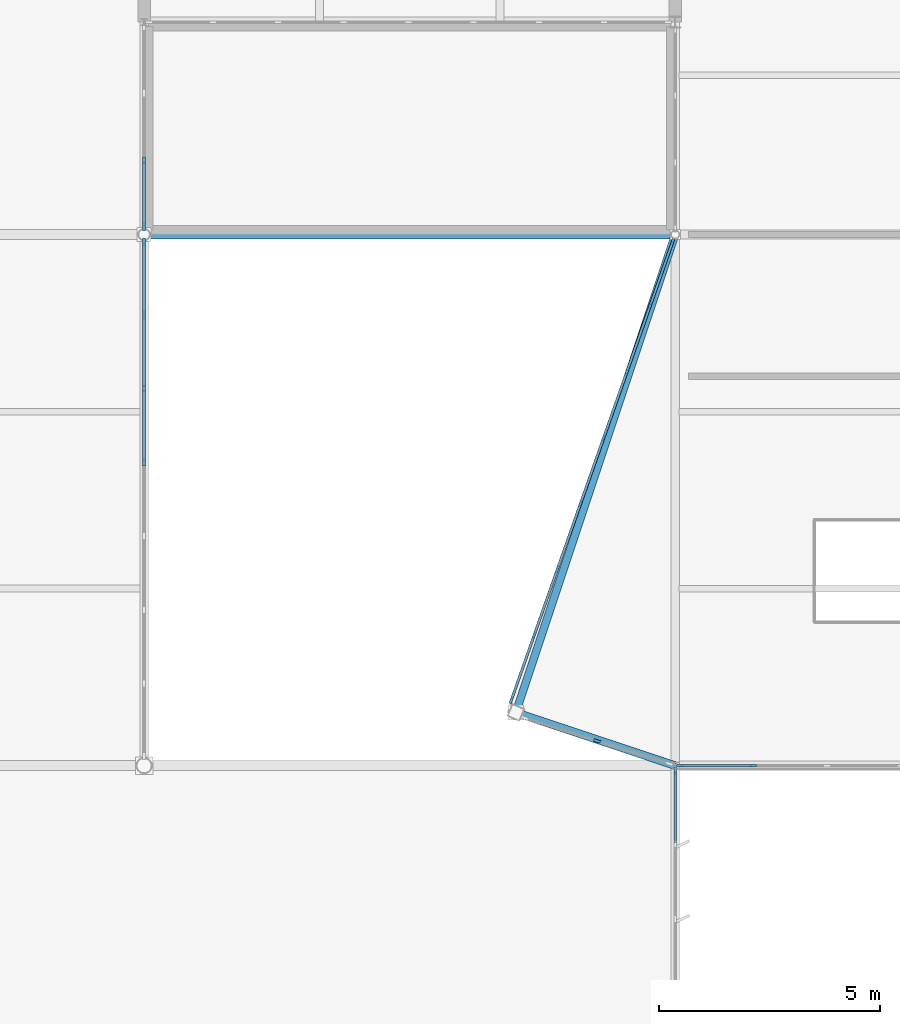
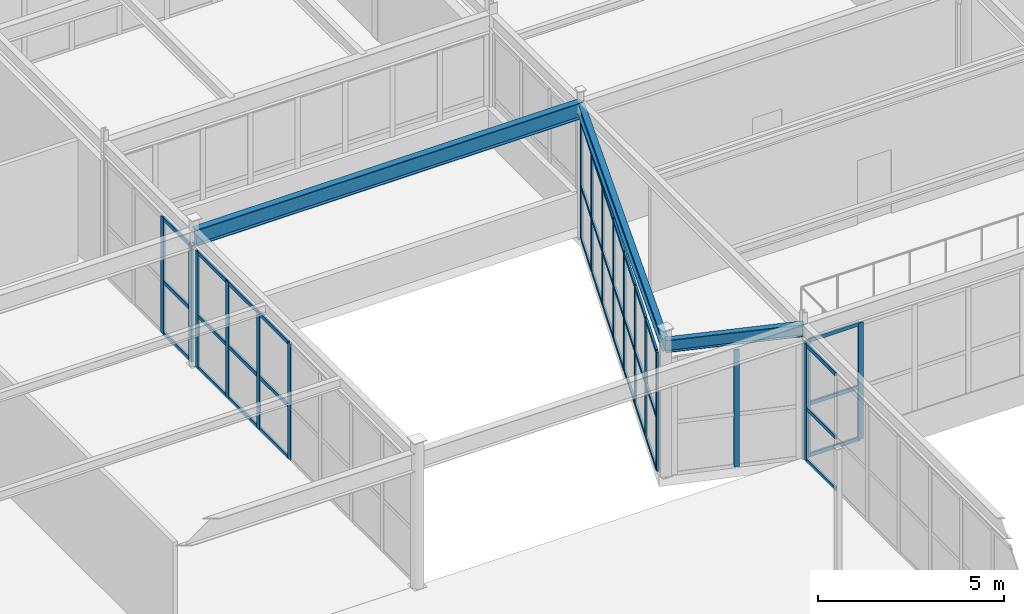
# One storey, part 121 of 226: 57 members, 3 beams, 6 elements without a shape of their own.
"""IFC4 building model written with IfcOpenShell, lengths in metres."""

from ifc_helpers import new_model, si_unit, direction, frame, origin, origin_2d, place, context, subcontext, project, spatial, rectangle, i_section, extrude, material, layer, layer_set, material_profile, profile_set, type_object, element, aggregate, save


model = new_model("IFC4")

# Units and contexts
model_context = context("Model", 3, precision=1e-05, world=origin(), true_north=direction((0.0, 1.0)))
body_context = subcontext(model_context, "Body", "Model", "MODEL_VIEW")
ifc_project = project(units=[si_unit("LENGTHUNIT", "METRE"), si_unit("AREAUNIT", "SQUARE_METRE"), si_unit("VOLUMEUNIT", "CUBIC_METRE"), si_unit("PLANEANGLEUNIT", "RADIAN"), si_unit("MASSUNIT", "GRAM", prefix="KILO")], contexts=[model_context])

# Site, building, storey
site_placement = place(None, origin())
site = spatial("IfcSite", under=ifc_project, at=site_placement, CompositionType="ELEMENT")
building_placement = place(site_placement, origin())
building = spatial("IfcBuilding", under=site, at=building_placement, Name="Tarnwether General Hospital", CompositionType="ELEMENT")
storey_placement = place(building_placement, frame((0.0, 0.0, 4.800048828125)))
storey = spatial("IfcBuildingStorey", under=building, at=storey_placement, Name="L01", CompositionType="ELEMENT", Elevation=4.800048828125)

# Beams
ifc_material_1 = material(Name="Steel Grade 350 (350 MPa)", Category="steel")
ifc_material_profile_1 = material_profile(ifc_material_1, i_section(OverallWidth=0.208984375, OverallDepth=0.532958984375, WebThickness=0.01025390625, FlangeThickness=0.015625, at=origin_2d()), Name="530UB92.4")
ifc_profile_set_1 = profile_set([ifc_material_profile_1], Name="Steel Grade 350 (350 MPa)")
beam_type_1 = type_object("IfcBeamType", Name="BM-G06", PredefinedType="BEAM", material=ifc_profile_set_1)
beam_1_placement = place(storey_placement, frame((132.0, 93.60009765625, 4.178466796875), z_axis=(1.0, 0.0, 0.0), x_axis=(0.0, 1.0, 0.0)))
element("IfcBeam", 1, at=beam_1_placement, inside=storey, type_object=beam_type_1, Name="Primary Girder BMG-L01-13200_9360-14400_9360-1203", PredefinedType="BEAM", context=body_context, shape_type="SweptSolid", body=[
    extrude(i_section(OverallWidth=0.208984375, OverallDepth=0.532958984375, WebThickness=0.01025390625, FlangeThickness=0.015625, at=origin_2d()), origin(), (0.0, 0.0, 1.0), 12.0),
])
ifc_material_2 = material(Name="Steel Grade 350 (350 MPa)", Category="steel")
ifc_material_profile_2 = material_profile(ifc_material_2, i_section(OverallWidth=0.177978515625, OverallDepth=0.403076171875, WebThickness=0.007568359375, FlangeThickness=0.010986328125, at=origin_2d()), Name="410UB53.7")
ifc_profile_set_2 = profile_set([ifc_material_profile_2], Name="Steel Grade 350 (350 MPa)")
beam_type_2 = type_object("IfcBeamType", Name="BM-SP2", PredefinedType="SPANDREL", material=ifc_profile_set_2)
beam_2_placement = place(storey_placement, frame((144.0, 81.60009765625, 4.228515625), z_axis=(-0.948689731394, 0.316208465333, 0.0), x_axis=(-0.316208465333, -0.948689731394, 0.0)))
element("IfcBeam", 2, at=beam_2_placement, inside=storey, type_object=beam_type_2, Name="Forecourt North Shard Tie BMG-L01-14400_8160-14040_8280-2230", PredefinedType="SPANDREL", context=body_context, shape_type="SweptSolid", body=[
    extrude(i_section(OverallWidth=0.177978515625, OverallDepth=0.403076171875, WebThickness=0.007568359375, FlangeThickness=0.010986328125, at=origin_2d()), origin(), (0.0, 0.0, 1.0), 3.794921875),
])
beam_3_placement = place(storey_placement, frame((140.39990234375, 82.800048828125, 4.228515625), z_axis=(0.316234199636, 0.948681153486, 0.0), x_axis=(-0.948681153486, 0.316234199636, 0.0)))
element("IfcBeam", 3, at=beam_3_placement, inside=storey, type_object=beam_type_2, Name="Forecourt North Shard Girder BMG-L01-14040_8280-14400_9360-2231", PredefinedType="SPANDREL", context=body_context, shape_type="SweptSolid", body=[
    extrude(i_section(OverallWidth=0.177978515625, OverallDepth=0.403076171875, WebThickness=0.007568359375, FlangeThickness=0.010986328125, at=origin_2d()), origin(), (0.0, 0.0, 1.0), 11.38427734375),
])

# Curtain wall, member
ifc_material_3 = material(Name="Anodised aluminium", Category="aluminium")
ifc_layer_1 = layer(ifc_material_3, 0.179931640625)
ifc_layer_set_1 = layer_set([ifc_layer_1], Name="Anodised aluminium")
curtain_wall_type_1 = type_object("IfcCurtainWallType", Name="CW-06", PredefinedType="NOTDEFINED", material=ifc_layer_set_1)
curtain_wall_1_placement = place(storey_placement, origin())
curtain_wall_1 = element("IfcCurtainWall", 4, at=curtain_wall_1_placement, inside=storey, type_object=curtain_wall_type_1, Name="Curtain Wall CWG-L01-1440_815-0336", PredefinedType="NOTDEFINED")
ifc_material_4 = material(Name="Anodised aluminium", Category="aluminium")
ifc_material_profile_3 = material_profile(ifc_material_4, rectangle(XDim=0.06005859375, YDim=0.159912109375, at=origin_2d()), Name="ALU-MUL-60x160")
ifc_profile_set_3 = profile_set([ifc_material_profile_3], Name="Anodised aluminium")
member_type_1 = type_object("IfcMemberType", Name="CW-ML1", PredefinedType="MULLION", material=ifc_profile_set_3)
member_1_placement = place(storey_placement, frame((144.0, 81.48095703125, 0.0), z_axis=(0.0, 0.0, 1.0), x_axis=(1.0, 0.0, 0.0)))
member_1 = element("IfcMember", 5, at=member_1_placement, type_object=member_type_1, Name="CW-06 mullion 1", PredefinedType="MULLION", context=body_context, shape_type="SweptSolid", body=[
    extrude(rectangle(XDim=0.06005859375, YDim=0.159912109375, at=origin_2d()), origin(), (0.0, 0.0, 1.0), 3.827880859375),
])

# Curtain wall, members
ifc_material_5 = material(Name="Anodised aluminium", Category="aluminium")
ifc_layer_2 = layer(ifc_material_5, 0.159912109375)
ifc_layer_set_2 = layer_set([ifc_layer_2], Name="Anodised aluminium")
curtain_wall_type_2 = type_object("IfcCurtainWallType", Name="CW-15", PredefinedType="NOTDEFINED", material=ifc_layer_set_2)
curtain_wall_2_placement = place(storey_placement, origin())
curtain_wall_2 = element("IfcCurtainWall", 6, at=curtain_wall_2_placement, inside=storey, type_object=curtain_wall_type_2, Name="Curtain Wall CWG-L01-1320_983-0370", PredefinedType="NOTDEFINED")
member_2_placement = place(storey_placement, frame((132.0, 95.2685546875, 0.0), z_axis=(0.0, 0.0, 1.0), x_axis=(1.0, 0.0, 0.0)))
member_2 = element("IfcMember", 7, at=member_2_placement, type_object=member_type_1, Name="CW-15 mullion 3", PredefinedType="MULLION", context=body_context, shape_type="SweptSolid", body=[
    extrude(rectangle(XDim=0.06005859375, YDim=0.159912109375, at=origin_2d()), origin(), (0.0, 0.0, 1.0), 3.81787109375),
])
member_3_placement = place(storey_placement, frame((132.0, 93.77490234375, 0.0), z_axis=(0.0, 0.0, 1.0), x_axis=(1.0, 0.0, 0.0)))
member_3 = element("IfcMember", 8, at=member_3_placement, type_object=member_type_1, Name="CW-15 mullion 4", PredefinedType="MULLION", context=body_context, shape_type="SweptSolid", body=[
    extrude(rectangle(XDim=0.06005859375, YDim=0.159912109375, at=origin_2d()), origin(), (0.0, 0.0, 1.0), 3.81787109375),
])

curtain_wall_3_placement = place(storey_placement, origin())
curtain_wall_3 = element("IfcCurtainWall", 9, at=curtain_wall_3_placement, inside=storey, type_object=curtain_wall_type_2, Name="Curtain Wall CWG-L01-1320_935-0371", PredefinedType="NOTDEFINED")
member_4_placement = place(storey_placement, frame((132.0, 93.425048828125, 0.0), z_axis=(0.0, 0.0, 1.0), x_axis=(1.0, 0.0, 0.0)))
member_4 = element("IfcMember", 10, at=member_4_placement, type_object=member_type_1, Name="CW-15 mullion 1", PredefinedType="MULLION", context=body_context, shape_type="SweptSolid", body=[
    extrude(rectangle(XDim=0.06005859375, YDim=0.159912109375, at=origin_2d()), origin(), (0.0, 0.0, 1.0), 3.822998046875),
])
member_5_placement = place(storey_placement, frame((132.0, 91.7880859375, 0.0), z_axis=(0.0, 0.0, 1.0), x_axis=(1.0, 0.0, 0.0)))
member_5 = element("IfcMember", 11, at=member_5_placement, type_object=member_type_1, Name="CW-15 mullion 2", PredefinedType="MULLION", context=body_context, shape_type="SweptSolid", body=[
    extrude(rectangle(XDim=0.06005859375, YDim=0.159912109375, at=origin_2d()), origin(), (0.0, 0.0, 1.0), 3.822998046875),
])
member_6_placement = place(storey_placement, frame((132.0, 90.12109375, 0.0), z_axis=(0.0, 0.0, 1.0), x_axis=(1.0, 0.0, 0.0)))
member_6 = element("IfcMember", 12, at=member_6_placement, type_object=member_type_1, Name="CW-15 mullion 3", PredefinedType="MULLION", context=body_context, shape_type="SweptSolid", body=[
    extrude(rectangle(XDim=0.06005859375, YDim=0.159912109375, at=origin_2d()), origin(), (0.0, 0.0, 1.0), 3.822998046875),
])
member_7_placement = place(storey_placement, frame((132.0, 88.4541015625, 0.0), z_axis=(0.0, 0.0, 1.0), x_axis=(1.0, 0.0, 0.0)))
member_7 = element("IfcMember", 13, at=member_7_placement, type_object=member_type_1, Name="CW-15 mullion 4", PredefinedType="MULLION", context=body_context, shape_type="SweptSolid", body=[
    extrude(rectangle(XDim=0.06005859375, YDim=0.159912109375, at=origin_2d()), origin(), (0.0, 0.0, 1.0), 3.822998046875),
])

# Curtain wall, member
curtain_wall_4_placement = place(storey_placement, origin())
curtain_wall_4 = element("IfcCurtainWall", 14, at=curtain_wall_4_placement, inside=storey, type_object=curtain_wall_type_2, Name="Curtain Wall CWG-L01-1439_816-0372", PredefinedType="NOTDEFINED")
member_8_placement = place(storey_placement, frame((142.23388671875, 82.157470703125, 0.0), z_axis=(0.0, 0.0, 1.0), x_axis=(-0.300980602289, -0.953630262233, 0.0)))
member_8 = element("IfcMember", 15, at=member_8_placement, type_object=member_type_1, Name="CW-15 mullion 2", PredefinedType="MULLION", context=body_context, shape_type="SweptSolid", body=[
    extrude(rectangle(XDim=0.06005859375, YDim=0.159912109375, at=origin_2d()), origin(), (0.0, 0.0, 1.0), 3.827880859375),
])
aggregate(curtain_wall_4, [member_8])

# Curtain wall, members
curtain_wall_5_placement = place(storey_placement, origin())
curtain_wall_5 = element("IfcCurtainWall", 16, at=curtain_wall_5_placement, inside=storey, type_object=curtain_wall_type_2, Name="Curtain Wall CWG-L01-1403_831-0373", PredefinedType="NOTDEFINED")
member_9_placement = place(storey_placement, frame((140.2978515625, 83.079345703125, 0.0), z_axis=(0.0, 0.0, 1.0), x_axis=(-0.943313964731, 0.331901738387, 0.0)))
member_9 = element("IfcMember", 17, at=member_9_placement, type_object=member_type_1, Name="CW-15 mullion 1", PredefinedType="MULLION", context=body_context, shape_type="SweptSolid", body=[
    extrude(rectangle(XDim=0.06005859375, YDim=0.159912109375, at=origin_2d()), origin(), (0.0, 0.0, 1.0), 3.89697265625),
])
member_10_placement = place(storey_placement, frame((140.81201171875, 84.540283203125, 0.0), z_axis=(0.0, 0.0, 1.0), x_axis=(-0.943313964731, 0.331901738387, 0.0)))
member_10 = element("IfcMember", 18, at=member_10_placement, type_object=member_type_1, Name="CW-15 mullion 2", PredefinedType="MULLION", context=body_context, shape_type="SweptSolid", body=[
    extrude(rectangle(XDim=0.06005859375, YDim=0.159912109375, at=origin_2d()), origin(), (0.0, 0.0, 1.0), 3.89697265625),
])
member_11_placement = place(storey_placement, frame((141.3359375, 86.029541015625, 0.0), z_axis=(0.0, 0.0, 1.0), x_axis=(-0.943313964731, 0.331901738387, 0.0)))
member_11 = element("IfcMember", 19, at=member_11_placement, type_object=member_type_1, Name="CW-15 mullion 3", PredefinedType="MULLION", context=body_context, shape_type="SweptSolid", body=[
    extrude(rectangle(XDim=0.06005859375, YDim=0.159912109375, at=origin_2d()), origin(), (0.0, 0.0, 1.0), 3.89697265625),
])
member_12_placement = place(storey_placement, frame((141.860107421875, 87.518798828125, 0.0), z_axis=(0.0, 0.0, 1.0), x_axis=(-0.943313964731, 0.331901738387, 0.0)))
member_12 = element("IfcMember", 20, at=member_12_placement, type_object=member_type_1, Name="CW-15 mullion 4", PredefinedType="MULLION", context=body_context, shape_type="SweptSolid", body=[
    extrude(rectangle(XDim=0.06005859375, YDim=0.159912109375, at=origin_2d()), origin(), (0.0, 0.0, 1.0), 3.89697265625),
])
member_13_placement = place(storey_placement, frame((142.384033203125, 89.008056640625, 0.0), z_axis=(0.0, 0.0, 1.0), x_axis=(-0.943313964731, 0.331901738387, 0.0)))
member_13 = element("IfcMember", 21, at=member_13_placement, type_object=member_type_1, Name="CW-15 mullion 5", PredefinedType="MULLION", context=body_context, shape_type="SweptSolid", body=[
    extrude(rectangle(XDim=0.06005859375, YDim=0.159912109375, at=origin_2d()), origin(), (0.0, 0.0, 1.0), 3.89697265625),
])
member_14_placement = place(storey_placement, frame((142.907958984375, 90.497314453125, 0.0), z_axis=(0.0, 0.0, 1.0), x_axis=(-0.943313964731, 0.331901738387, 0.0)))
member_14 = element("IfcMember", 22, at=member_14_placement, type_object=member_type_1, Name="CW-15 mullion 6", PredefinedType="MULLION", context=body_context, shape_type="SweptSolid", body=[
    extrude(rectangle(XDim=0.06005859375, YDim=0.159912109375, at=origin_2d()), origin(), (0.0, 0.0, 1.0), 3.89697265625),
])
member_15_placement = place(storey_placement, frame((143.431884765625, 91.98681640625, 0.0), z_axis=(0.0, 0.0, 1.0), x_axis=(-0.943313964731, 0.331901738387, 0.0)))
member_15 = element("IfcMember", 23, at=member_15_placement, type_object=member_type_1, Name="CW-15 mullion 7", PredefinedType="MULLION", context=body_context, shape_type="SweptSolid", body=[
    extrude(rectangle(XDim=0.06005859375, YDim=0.159912109375, at=origin_2d()), origin(), (0.0, 0.0, 1.0), 3.89697265625),
])
member_16_placement = place(storey_placement, frame((143.946044921875, 93.44775390625, 0.0), z_axis=(0.0, 0.0, 1.0), x_axis=(-0.943313964731, 0.331901738387, 0.0)))
member_16 = element("IfcMember", 24, at=member_16_placement, type_object=member_type_1, Name="CW-15 mullion 8", PredefinedType="MULLION", context=body_context, shape_type="SweptSolid", body=[
    extrude(rectangle(XDim=0.06005859375, YDim=0.159912109375, at=origin_2d()), origin(), (0.0, 0.0, 1.0), 3.89697265625),
])

ifc_material_6 = material(Name="Anodised aluminium", Category="aluminium")
ifc_layer_3 = layer(ifc_material_6, 0.159912109375)
ifc_layer_set_3 = layer_set([ifc_layer_3], Name="Anodised aluminium")
curtain_wall_type_3 = type_object("IfcCurtainWallType", Name="CW-17", PredefinedType="NOTDEFINED", material=ifc_layer_set_3)
curtain_wall_6_placement = place(storey_placement, origin())
curtain_wall_6 = element("IfcCurtainWall", 25, at=curtain_wall_6_placement, inside=storey, type_object=curtain_wall_type_3, Name="Curtain Wall CWG-L01-1558_816-0396", PredefinedType="NOTDEFINED")
member_17_placement = place(storey_placement, frame((145.757080078125, 81.60009765625, 0.0), z_axis=(0.0, 0.0, 1.0), x_axis=(0.0, -1.0, 0.0)))
member_17 = element("IfcMember", 26, at=member_17_placement, type_object=member_type_1, Name="CW-17 mullion 7", PredefinedType="MULLION", context=body_context, shape_type="SweptSolid", body=[
    extrude(rectangle(XDim=0.06005859375, YDim=0.159912109375, at=origin_2d()), origin(), (0.0, 0.0, 1.0), 3.827880859375),
])
member_18_placement = place(storey_placement, frame((144.114990234375, 81.60009765625, 0.0), z_axis=(0.0, 0.0, 1.0), x_axis=(0.0, -1.0, 0.0)))
member_18 = element("IfcMember", 27, at=member_18_placement, type_object=member_type_1, Name="CW-17 mullion 8", PredefinedType="MULLION", context=body_context, shape_type="SweptSolid", body=[
    extrude(rectangle(XDim=0.06005859375, YDim=0.159912109375, at=origin_2d()), origin(), (0.0, 0.0, 1.0), 3.827880859375),
])

# Member
ifc_material_7 = material(Name="Anodised aluminium", Category="aluminium")
ifc_material_profile_4 = material_profile(ifc_material_7, rectangle(XDim=0.06005859375, YDim=0.1201171875, at=origin_2d()), Name="ALU-TRN-60x120")
ifc_profile_set_4 = profile_set([ifc_material_profile_4], Name="Anodised aluminium")
member_type_2 = type_object("IfcMemberType", Name="CW-TR1", PredefinedType="USERDEFINED", material=ifc_profile_set_4)
member_19_placement = place(storey_placement, frame((144.0, 81.450927734375, 0.030029296875), z_axis=(0.0, -1.0, 0.0), x_axis=(1.0, 0.0, 0.0)))
member_19 = element("IfcMember", 28, at=member_19_placement, type_object=member_type_2, Name="CW-06 transom 1.1", ObjectType="TRANSOM", PredefinedType="USERDEFINED", context=body_context, shape_type="SweptSolid", body=[
    extrude(rectangle(XDim=0.06005859375, YDim=0.1201171875, at=origin_2d()), origin(), (0.0, 0.0, 1.0), 1.595947265625),
])

member_20_placement = place(storey_placement, frame((144.0, 81.450927734375, 1.72265625), z_axis=(0.0, -1.0, 0.0), x_axis=(1.0, 0.0, 0.0)))
member_20 = element("IfcMember", 29, at=member_20_placement, type_object=member_type_2, Name="CW-06 transom 1.2", ObjectType="TRANSOM", PredefinedType="USERDEFINED", context=body_context, shape_type="SweptSolid", body=[
    extrude(rectangle(XDim=0.06005859375, YDim=0.1201171875, at=origin_2d()), origin(), (0.0, 0.0, 1.0), 1.595947265625),
])

member_21_placement = place(storey_placement, frame((144.0, 81.450927734375, 3.7978515625), z_axis=(0.0, -1.0, 0.0), x_axis=(1.0, 0.0, 0.0)))
member_21 = element("IfcMember", 30, at=member_21_placement, type_object=member_type_2, Name="CW-06 transom 1.3", ObjectType="TRANSOM", PredefinedType="USERDEFINED", context=body_context, shape_type="SweptSolid", body=[
    extrude(rectangle(XDim=0.06005859375, YDim=0.1201171875, at=origin_2d()), origin(), (0.0, 0.0, 1.0), 1.595947265625),
])

aggregate(curtain_wall_1, [member_1, member_19, member_20, member_21])

member_22_placement = place(storey_placement, frame((132.0, 95.23876953125, 0.030029296875), z_axis=(0.0, -1.0, 0.0), x_axis=(1.0, 0.0, 0.0)))
member_22 = element("IfcMember", 31, at=member_22_placement, type_object=member_type_2, Name="CW-15 transom 3.1", ObjectType="TRANSOM", PredefinedType="USERDEFINED", context=body_context, shape_type="SweptSolid", body=[
    extrude(rectangle(XDim=0.06005859375, YDim=0.1201171875, at=origin_2d()), origin(), (0.0, 0.0, 1.0), 1.433837890625),
])

member_23_placement = place(storey_placement, frame((132.0, 95.23876953125, 1.718017578125), z_axis=(0.0, -1.0, 0.0), x_axis=(1.0, 0.0, 0.0)))
member_23 = element("IfcMember", 32, at=member_23_placement, type_object=member_type_2, Name="CW-15 transom 3.2", ObjectType="TRANSOM", PredefinedType="USERDEFINED", context=body_context, shape_type="SweptSolid", body=[
    extrude(rectangle(XDim=0.06005859375, YDim=0.1201171875, at=origin_2d()), origin(), (0.0, 0.0, 1.0), 1.433837890625),
])

member_24_placement = place(storey_placement, frame((132.0, 95.23876953125, 3.787841796875), z_axis=(0.0, -1.0, 0.0), x_axis=(1.0, 0.0, 0.0)))
member_24 = element("IfcMember", 33, at=member_24_placement, type_object=member_type_2, Name="CW-15 transom 3.3", ObjectType="TRANSOM", PredefinedType="USERDEFINED", context=body_context, shape_type="SweptSolid", body=[
    extrude(rectangle(XDim=0.06005859375, YDim=0.1201171875, at=origin_2d()), origin(), (0.0, 0.0, 1.0), 1.433837890625),
])

aggregate(curtain_wall_2, [member_2, member_3, member_22, member_23, member_24])

member_25_placement = place(storey_placement, frame((132.0, 93.39501953125, 0.030029296875), z_axis=(0.0, -1.0, 0.0), x_axis=(1.0, 0.0, 0.0)))
member_25 = element("IfcMember", 34, at=member_25_placement, type_object=member_type_2, Name="CW-15 transom 1.1", ObjectType="TRANSOM", PredefinedType="USERDEFINED", context=body_context, shape_type="SweptSolid", body=[
    extrude(rectangle(XDim=0.06005859375, YDim=0.1201171875, at=origin_2d()), origin(), (0.0, 0.0, 1.0), 1.576904296875),
])

member_26_placement = place(storey_placement, frame((132.0, 93.39501953125, 1.72021484375), z_axis=(0.0, -1.0, 0.0), x_axis=(1.0, 0.0, 0.0)))
member_26 = element("IfcMember", 35, at=member_26_placement, type_object=member_type_2, Name="CW-15 transom 1.2", ObjectType="TRANSOM", PredefinedType="USERDEFINED", context=body_context, shape_type="SweptSolid", body=[
    extrude(rectangle(XDim=0.06005859375, YDim=0.1201171875, at=origin_2d()), origin(), (0.0, 0.0, 1.0), 1.576904296875),
])

member_27_placement = place(storey_placement, frame((132.0, 93.39501953125, 3.79296875), z_axis=(0.0, -1.0, 0.0), x_axis=(1.0, 0.0, 0.0)))
member_27 = element("IfcMember", 36, at=member_27_placement, type_object=member_type_2, Name="CW-15 transom 1.3", ObjectType="TRANSOM", PredefinedType="USERDEFINED", context=body_context, shape_type="SweptSolid", body=[
    extrude(rectangle(XDim=0.06005859375, YDim=0.1201171875, at=origin_2d()), origin(), (0.0, 0.0, 1.0), 1.576904296875),
])

member_28_placement = place(storey_placement, frame((132.0, 91.758056640625, 0.030029296875), z_axis=(0.0, -1.0, 0.0), x_axis=(1.0, 0.0, 0.0)))
member_28 = element("IfcMember", 37, at=member_28_placement, type_object=member_type_2, Name="CW-15 transom 2.1", ObjectType="TRANSOM", PredefinedType="USERDEFINED", context=body_context, shape_type="SweptSolid", body=[
    extrude(rectangle(XDim=0.06005859375, YDim=0.1201171875, at=origin_2d()), origin(), (0.0, 0.0, 1.0), 1.607177734375),
])

member_29_placement = place(storey_placement, frame((132.0, 91.758056640625, 1.72021484375), z_axis=(0.0, -1.0, 0.0), x_axis=(1.0, 0.0, 0.0)))
member_29 = element("IfcMember", 38, at=member_29_placement, type_object=member_type_2, Name="CW-15 transom 2.2", ObjectType="TRANSOM", PredefinedType="USERDEFINED", context=body_context, shape_type="SweptSolid", body=[
    extrude(rectangle(XDim=0.06005859375, YDim=0.1201171875, at=origin_2d()), origin(), (0.0, 0.0, 1.0), 1.607177734375),
])

member_30_placement = place(storey_placement, frame((132.0, 91.758056640625, 3.79296875), z_axis=(0.0, -1.0, 0.0), x_axis=(1.0, 0.0, 0.0)))
member_30 = element("IfcMember", 39, at=member_30_placement, type_object=member_type_2, Name="CW-15 transom 2.3", ObjectType="TRANSOM", PredefinedType="USERDEFINED", context=body_context, shape_type="SweptSolid", body=[
    extrude(rectangle(XDim=0.06005859375, YDim=0.1201171875, at=origin_2d()), origin(), (0.0, 0.0, 1.0), 1.607177734375),
])

member_31_placement = place(storey_placement, frame((132.0, 90.091064453125, 0.030029296875), z_axis=(0.0, -1.0, 0.0), x_axis=(1.0, 0.0, 0.0)))
member_31 = element("IfcMember", 40, at=member_31_placement, type_object=member_type_2, Name="CW-15 transom 3.1", ObjectType="TRANSOM", PredefinedType="USERDEFINED", context=body_context, shape_type="SweptSolid", body=[
    extrude(rectangle(XDim=0.06005859375, YDim=0.1201171875, at=origin_2d()), origin(), (0.0, 0.0, 1.0), 1.607177734375),
])

member_32_placement = place(storey_placement, frame((132.0, 90.091064453125, 1.72021484375), z_axis=(0.0, -1.0, 0.0), x_axis=(1.0, 0.0, 0.0)))
member_32 = element("IfcMember", 41, at=member_32_placement, type_object=member_type_2, Name="CW-15 transom 3.2", ObjectType="TRANSOM", PredefinedType="USERDEFINED", context=body_context, shape_type="SweptSolid", body=[
    extrude(rectangle(XDim=0.06005859375, YDim=0.1201171875, at=origin_2d()), origin(), (0.0, 0.0, 1.0), 1.607177734375),
])

member_33_placement = place(storey_placement, frame((132.0, 90.091064453125, 3.79296875), z_axis=(0.0, -1.0, 0.0), x_axis=(1.0, 0.0, 0.0)))
member_33 = element("IfcMember", 42, at=member_33_placement, type_object=member_type_2, Name="CW-15 transom 3.3", ObjectType="TRANSOM", PredefinedType="USERDEFINED", context=body_context, shape_type="SweptSolid", body=[
    extrude(rectangle(XDim=0.06005859375, YDim=0.1201171875, at=origin_2d()), origin(), (0.0, 0.0, 1.0), 1.607177734375),
])

aggregate(curtain_wall_3, [member_4, member_5, member_6, member_7, member_25, member_26, member_27, member_28, member_29, member_30, member_31, member_32, member_33])

member_34_placement = place(storey_placement, frame((140.307861328125, 83.107666015625, 0.030029296875), z_axis=(0.331927830746, 0.943304783819, 0.0), x_axis=(-0.943304783819, 0.331927830746, 0.0)))
member_34 = element("IfcMember", 43, at=member_34_placement, type_object=member_type_2, Name="CW-15 transom 1.1", ObjectType="TRANSOM", PredefinedType="USERDEFINED", context=body_context, shape_type="SweptSolid", body=[
    extrude(rectangle(XDim=0.06005859375, YDim=0.1201171875, at=origin_2d()), origin(), (0.0, 0.0, 1.0), 1.48876953125),
])

member_35_placement = place(storey_placement, frame((140.307861328125, 83.107666015625, 1.753662109375), z_axis=(0.331927830746, 0.943304783819, 0.0), x_axis=(-0.943304783819, 0.331927830746, 0.0)))
member_35 = element("IfcMember", 44, at=member_35_placement, type_object=member_type_2, Name="CW-15 transom 1.2", ObjectType="TRANSOM", PredefinedType="USERDEFINED", context=body_context, shape_type="SweptSolid", body=[
    extrude(rectangle(XDim=0.06005859375, YDim=0.1201171875, at=origin_2d()), origin(), (0.0, 0.0, 1.0), 1.48876953125),
])

member_36_placement = place(storey_placement, frame((140.307861328125, 83.107666015625, 3.866943359375), z_axis=(0.331927830746, 0.943304783819, 0.0), x_axis=(-0.943304783819, 0.331927830746, 0.0)))
member_36 = element("IfcMember", 45, at=member_36_placement, type_object=member_type_2, Name="CW-15 transom 1.3", ObjectType="TRANSOM", PredefinedType="USERDEFINED", context=body_context, shape_type="SweptSolid", body=[
    extrude(rectangle(XDim=0.06005859375, YDim=0.1201171875, at=origin_2d()), origin(), (0.0, 0.0, 1.0), 1.48876953125),
])

member_37_placement = place(storey_placement, frame((140.822021484375, 84.568603515625, 0.030029296875), z_axis=(0.331810842329, 0.943345941271, 0.0), x_axis=(-0.943345941271, 0.331810842329, 0.0)))
member_37 = element("IfcMember", 46, at=member_37_placement, type_object=member_type_2, Name="CW-15 transom 2.1", ObjectType="TRANSOM", PredefinedType="USERDEFINED", context=body_context, shape_type="SweptSolid", body=[
    extrude(rectangle(XDim=0.06005859375, YDim=0.1201171875, at=origin_2d()), origin(), (0.0, 0.0, 1.0), 1.5185546875),
])

member_38_placement = place(storey_placement, frame((140.822021484375, 84.568603515625, 1.753662109375), z_axis=(0.331810842329, 0.943345941271, 0.0), x_axis=(-0.943345941271, 0.331810842329, 0.0)))
member_38 = element("IfcMember", 47, at=member_38_placement, type_object=member_type_2, Name="CW-15 transom 2.2", ObjectType="TRANSOM", PredefinedType="USERDEFINED", context=body_context, shape_type="SweptSolid", body=[
    extrude(rectangle(XDim=0.06005859375, YDim=0.1201171875, at=origin_2d()), origin(), (0.0, 0.0, 1.0), 1.5185546875),
])

member_39_placement = place(storey_placement, frame((140.822021484375, 84.568603515625, 3.866943359375), z_axis=(0.331810842329, 0.943345941271, 0.0), x_axis=(-0.943345941271, 0.331810842329, 0.0)))
member_39 = element("IfcMember", 48, at=member_39_placement, type_object=member_type_2, Name="CW-15 transom 2.3", ObjectType="TRANSOM", PredefinedType="USERDEFINED", context=body_context, shape_type="SweptSolid", body=[
    extrude(rectangle(XDim=0.06005859375, YDim=0.1201171875, at=origin_2d()), origin(), (0.0, 0.0, 1.0), 1.5185546875),
])

member_40_placement = place(storey_placement, frame((141.345947265625, 86.057861328125, 0.030029296875), z_axis=(0.331953892406, 0.9432956129, 0.0), x_axis=(-0.9432956129, 0.331953892406, 0.0)))
member_40 = element("IfcMember", 49, at=member_40_placement, type_object=member_type_2, Name="CW-15 transom 3.1", ObjectType="TRANSOM", PredefinedType="USERDEFINED", context=body_context, shape_type="SweptSolid", body=[
    extrude(rectangle(XDim=0.06005859375, YDim=0.1201171875, at=origin_2d()), origin(), (0.0, 0.0, 1.0), 1.518798828125),
])

member_41_placement = place(storey_placement, frame((141.345947265625, 86.057861328125, 1.753662109375), z_axis=(0.331953892406, 0.9432956129, 0.0), x_axis=(-0.9432956129, 0.331953892406, 0.0)))
member_41 = element("IfcMember", 50, at=member_41_placement, type_object=member_type_2, Name="CW-15 transom 3.2", ObjectType="TRANSOM", PredefinedType="USERDEFINED", context=body_context, shape_type="SweptSolid", body=[
    extrude(rectangle(XDim=0.06005859375, YDim=0.1201171875, at=origin_2d()), origin(), (0.0, 0.0, 1.0), 1.518798828125),
])

member_42_placement = place(storey_placement, frame((141.345947265625, 86.057861328125, 3.866943359375), z_axis=(0.331953892406, 0.9432956129, 0.0), x_axis=(-0.9432956129, 0.331953892406, 0.0)))
member_42 = element("IfcMember", 51, at=member_42_placement, type_object=member_type_2, Name="CW-15 transom 3.3", ObjectType="TRANSOM", PredefinedType="USERDEFINED", context=body_context, shape_type="SweptSolid", body=[
    extrude(rectangle(XDim=0.06005859375, YDim=0.1201171875, at=origin_2d()), origin(), (0.0, 0.0, 1.0), 1.518798828125),
])

member_43_placement = place(storey_placement, frame((141.869873046875, 87.547119140625, 0.030029296875), z_axis=(0.331953892406, 0.9432956129, 0.0), x_axis=(-0.9432956129, 0.331953892406, 0.0)))
member_43 = element("IfcMember", 52, at=member_43_placement, type_object=member_type_2, Name="CW-15 transom 4.1", ObjectType="TRANSOM", PredefinedType="USERDEFINED", context=body_context, shape_type="SweptSolid", body=[
    extrude(rectangle(XDim=0.06005859375, YDim=0.1201171875, at=origin_2d()), origin(), (0.0, 0.0, 1.0), 1.518798828125),
])

member_44_placement = place(storey_placement, frame((141.869873046875, 87.547119140625, 1.753662109375), z_axis=(0.331953892406, 0.9432956129, 0.0), x_axis=(-0.9432956129, 0.331953892406, 0.0)))
member_44 = element("IfcMember", 53, at=member_44_placement, type_object=member_type_2, Name="CW-15 transom 4.2", ObjectType="TRANSOM", PredefinedType="USERDEFINED", context=body_context, shape_type="SweptSolid", body=[
    extrude(rectangle(XDim=0.06005859375, YDim=0.1201171875, at=origin_2d()), origin(), (0.0, 0.0, 1.0), 1.518798828125),
])

member_45_placement = place(storey_placement, frame((141.869873046875, 87.547119140625, 3.866943359375), z_axis=(0.331953892406, 0.9432956129, 0.0), x_axis=(-0.9432956129, 0.331953892406, 0.0)))
member_45 = element("IfcMember", 54, at=member_45_placement, type_object=member_type_2, Name="CW-15 transom 4.3", ObjectType="TRANSOM", PredefinedType="USERDEFINED", context=body_context, shape_type="SweptSolid", body=[
    extrude(rectangle(XDim=0.06005859375, YDim=0.1201171875, at=origin_2d()), origin(), (0.0, 0.0, 1.0), 1.518798828125),
])

member_46_placement = place(storey_placement, frame((142.39404296875, 89.036376953125, 0.030029296875), z_axis=(0.331760529278, 0.943363636788, 0.0), x_axis=(-0.943363636788, 0.331760529278, 0.0)))
member_46 = element("IfcMember", 55, at=member_46_placement, type_object=member_type_2, Name="CW-15 transom 5.1", ObjectType="TRANSOM", PredefinedType="USERDEFINED", context=body_context, shape_type="SweptSolid", body=[
    extrude(rectangle(XDim=0.06005859375, YDim=0.1201171875, at=origin_2d()), origin(), (0.0, 0.0, 1.0), 1.518798828125),
])

member_47_placement = place(storey_placement, frame((142.39404296875, 89.036376953125, 1.753662109375), z_axis=(0.331760529278, 0.943363636788, 0.0), x_axis=(-0.943363636788, 0.331760529278, 0.0)))
member_47 = element("IfcMember", 56, at=member_47_placement, type_object=member_type_2, Name="CW-15 transom 5.2", ObjectType="TRANSOM", PredefinedType="USERDEFINED", context=body_context, shape_type="SweptSolid", body=[
    extrude(rectangle(XDim=0.06005859375, YDim=0.1201171875, at=origin_2d()), origin(), (0.0, 0.0, 1.0), 1.518798828125),
])

member_48_placement = place(storey_placement, frame((142.39404296875, 89.036376953125, 3.866943359375), z_axis=(0.331760529278, 0.943363636788, 0.0), x_axis=(-0.943363636788, 0.331760529278, 0.0)))
member_48 = element("IfcMember", 57, at=member_48_placement, type_object=member_type_2, Name="CW-15 transom 5.3", ObjectType="TRANSOM", PredefinedType="USERDEFINED", context=body_context, shape_type="SweptSolid", body=[
    extrude(rectangle(XDim=0.06005859375, YDim=0.1201171875, at=origin_2d()), origin(), (0.0, 0.0, 1.0), 1.518798828125),
])

member_49_placement = place(storey_placement, frame((142.91796875, 90.525634765625, 0.030029296875), z_axis=(0.331903563034, 0.943313322733, 0.0), x_axis=(-0.943313322733, 0.331903563034, 0.0)))
member_49 = element("IfcMember", 58, at=member_49_placement, type_object=member_type_2, Name="CW-15 transom 6.1", ObjectType="TRANSOM", PredefinedType="USERDEFINED", context=body_context, shape_type="SweptSolid", body=[
    extrude(rectangle(XDim=0.06005859375, YDim=0.1201171875, at=origin_2d()), origin(), (0.0, 0.0, 1.0), 1.51904296875),
])

member_50_placement = place(storey_placement, frame((142.91796875, 90.525634765625, 1.753662109375), z_axis=(0.331903563034, 0.943313322733, 0.0), x_axis=(-0.943313322733, 0.331903563034, 0.0)))
member_50 = element("IfcMember", 59, at=member_50_placement, type_object=member_type_2, Name="CW-15 transom 6.2", ObjectType="TRANSOM", PredefinedType="USERDEFINED", context=body_context, shape_type="SweptSolid", body=[
    extrude(rectangle(XDim=0.06005859375, YDim=0.1201171875, at=origin_2d()), origin(), (0.0, 0.0, 1.0), 1.51904296875),
])

member_51_placement = place(storey_placement, frame((142.91796875, 90.525634765625, 3.866943359375), z_axis=(0.331903563034, 0.943313322733, 0.0), x_axis=(-0.943313322733, 0.331903563034, 0.0)))
member_51 = element("IfcMember", 60, at=member_51_placement, type_object=member_type_2, Name="CW-15 transom 6.3", ObjectType="TRANSOM", PredefinedType="USERDEFINED", context=body_context, shape_type="SweptSolid", body=[
    extrude(rectangle(XDim=0.06005859375, YDim=0.1201171875, at=origin_2d()), origin(), (0.0, 0.0, 1.0), 1.51904296875),
])

member_52_placement = place(storey_placement, frame((143.44189453125, 92.014892578125, 0.030029296875), z_axis=(0.331876489566, 0.943322848061, 0.0), x_axis=(-0.943322848061, 0.331876489566, 0.0)))
member_52 = element("IfcMember", 61, at=member_52_placement, type_object=member_type_2, Name="CW-15 transom 7.1", ObjectType="TRANSOM", PredefinedType="USERDEFINED", context=body_context, shape_type="SweptSolid", body=[
    extrude(rectangle(XDim=0.06005859375, YDim=0.1201171875, at=origin_2d()), origin(), (0.0, 0.0, 1.0), 1.489013671875),
])

member_53_placement = place(storey_placement, frame((143.44189453125, 92.014892578125, 1.753662109375), z_axis=(0.331876489566, 0.943322848061, 0.0), x_axis=(-0.943322848061, 0.331876489566, 0.0)))
member_53 = element("IfcMember", 62, at=member_53_placement, type_object=member_type_2, Name="CW-15 transom 7.2", ObjectType="TRANSOM", PredefinedType="USERDEFINED", context=body_context, shape_type="SweptSolid", body=[
    extrude(rectangle(XDim=0.06005859375, YDim=0.1201171875, at=origin_2d()), origin(), (0.0, 0.0, 1.0), 1.489013671875),
])

member_54_placement = place(storey_placement, frame((143.44189453125, 92.014892578125, 3.866943359375), z_axis=(0.331876489566, 0.943322848061, 0.0), x_axis=(-0.943322848061, 0.331876489566, 0.0)))
member_54 = element("IfcMember", 63, at=member_54_placement, type_object=member_type_2, Name="CW-15 transom 7.3", ObjectType="TRANSOM", PredefinedType="USERDEFINED", context=body_context, shape_type="SweptSolid", body=[
    extrude(rectangle(XDim=0.06005859375, YDim=0.1201171875, at=origin_2d()), origin(), (0.0, 0.0, 1.0), 1.489013671875),
])

aggregate(curtain_wall_5, [member_9, member_10, member_11, member_12, member_13, member_14, member_15, member_16, member_34, member_35, member_36, member_37, member_38, member_39, member_40, member_41, member_42, member_43, member_44, member_45, member_46, member_47, member_48, member_49, member_50, member_51, member_52, member_53, member_54])

member_55_placement = place(storey_placement, frame((145.72705078125, 81.60009765625, 0.030029296875), z_axis=(-1.0, 0.0, 0.0), x_axis=(0.0, -1.0, 0.0)))
member_55 = element("IfcMember", 64, at=member_55_placement, type_object=member_type_2, Name="CW-17 transom 7.1", ObjectType="TRANSOM", PredefinedType="USERDEFINED", context=body_context, shape_type="SweptSolid", body=[
    extrude(rectangle(XDim=0.06005859375, YDim=0.1201171875, at=origin_2d()), origin(), (0.0, 0.0, 1.0), 1.58203125),
])

member_56_placement = place(storey_placement, frame((145.72705078125, 81.60009765625, 1.72265625), z_axis=(-1.0, 0.0, 0.0), x_axis=(0.0, -1.0, 0.0)))
member_56 = element("IfcMember", 65, at=member_56_placement, type_object=member_type_2, Name="CW-17 transom 7.2", ObjectType="TRANSOM", PredefinedType="USERDEFINED", context=body_context, shape_type="SweptSolid", body=[
    extrude(rectangle(XDim=0.06005859375, YDim=0.1201171875, at=origin_2d()), origin(), (0.0, 0.0, 1.0), 1.58203125),
])

member_57_placement = place(storey_placement, frame((145.72705078125, 81.60009765625, 3.7978515625), z_axis=(-1.0, 0.0, 0.0), x_axis=(0.0, -1.0, 0.0)))
member_57 = element("IfcMember", 66, at=member_57_placement, type_object=member_type_2, Name="CW-17 transom 7.3", ObjectType="TRANSOM", PredefinedType="USERDEFINED", context=body_context, shape_type="SweptSolid", body=[
    extrude(rectangle(XDim=0.06005859375, YDim=0.1201171875, at=origin_2d()), origin(), (0.0, 0.0, 1.0), 1.58203125),
])

aggregate(curtain_wall_6, [member_17, member_18, member_55, member_56, member_57])

save(model, "model.ifc")
